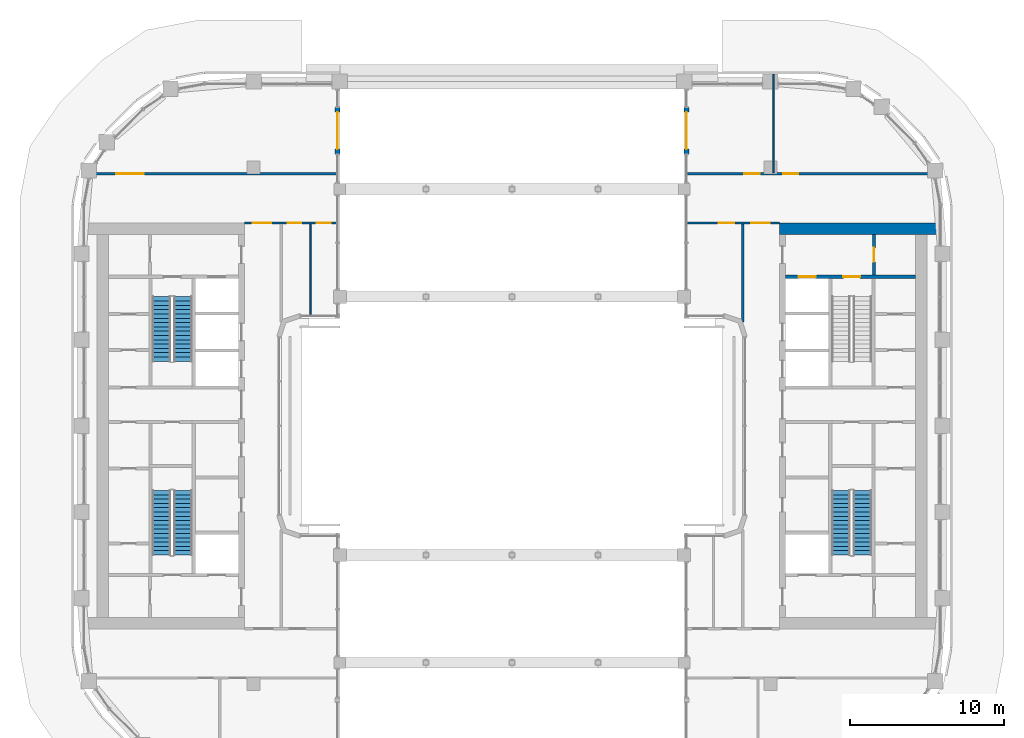
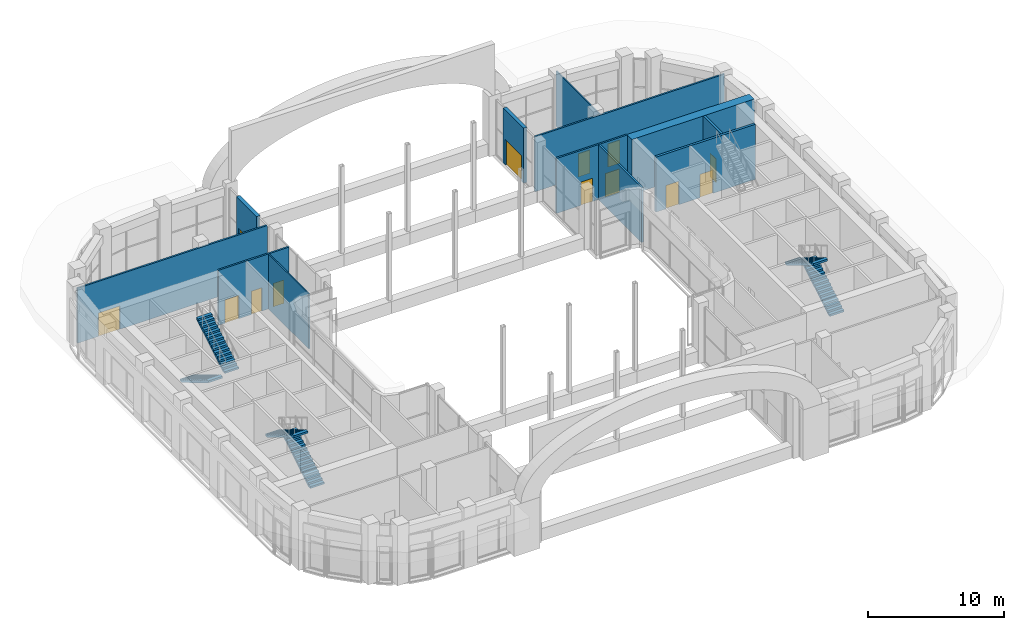
# One storey, part 18 of 28: 13 doors, 12 walls, 6 stair flights, 13 openings, 3 elements without a shape of their own.
"""IFC4 building model written with IfcOpenShell, lengths in metres."""

from ifc_helpers import new_model, si_unit, direction, frame, frame_2d, origin, place, context, subcontext, project, spatial, polyline, rectangle, outline, extrude, material, layer, layer_set, type_object, element, fill, aggregate, save


model = new_model("IFC4")

# Units and contexts
model_context = context("Model", 3, precision=1e-05, world=origin(), true_north=direction((0.0, 1.0)))
body_context = subcontext(model_context, "Body", "Model", "MODEL_VIEW")
ifc_project = project(units=[si_unit("LENGTHUNIT", "METRE"), si_unit("AREAUNIT", "SQUARE_METRE"), si_unit("VOLUMEUNIT", "CUBIC_METRE"), si_unit("PLANEANGLEUNIT", "RADIAN"), si_unit("MASSUNIT", "GRAM", prefix="KILO")], contexts=[model_context])

# Site, building, storey
site_placement = place(None, origin())
site = spatial("IfcSite", under=ifc_project, at=site_placement, CompositionType="ELEMENT")
building_placement = place(site_placement, origin())
building = spatial("IfcBuilding", under=site, at=building_placement, Name="Kiln Ring Residences", CompositionType="ELEMENT")
storey_placement = place(building_placement, frame((0.0, 0.0, 178.10009765625)))
storey = spatial("IfcBuildingStorey", under=building, at=storey_placement, Name="L46", CompositionType="ELEMENT", Elevation=178.10009765625)

# Wall, opening, door
ifc_material_1 = material(Name="Gypsum board on steel studs", Category="steel")
ifc_layer_1 = layer(ifc_material_1, 0.199951171875)
ifc_layer_set_1 = layer_set([ifc_layer_1], Name="CORE-PARTITION-200")
wall_type_1 = type_object("IfcWallType", Name="CORE-PARTITION-200", PredefinedType="PARTITIONING", material=ifc_layer_set_1)
wall_1_placement = place(storey_placement, frame((23.550048828125, 9.800048828125, 0.0), z_axis=(0.0, 0.0, 1.0), x_axis=(0.0, 1.0, 0.0)))
wall_1 = element("IfcWall", 1, at=wall_1_placement, inside=storey, type_object=wall_type_1, Name="Core partition east L46 4", PredefinedType="PARTITIONING", context=body_context, shape_type="SweptSolid", body=[
    extrude(rectangle(XDim=2.64990234375, YDim=0.199951171875, at=frame_2d((1.324951171875, 0.0))), origin(), (0.0, 0.0, 1.0), 4.949951171875),
])
opening_1_placement = place(wall_1_placement, frame((0.875, 0.0, 0.0)))
opening_1 = element("IfcOpeningElement", 2, at=opening_1_placement, cuts=wall_1, Name="Opening L46-CE09", PredefinedType="OPENING", context=body_context, shape_type="SweptSolid", body=[
    extrude(rectangle(XDim=0.89990234375, YDim=2.10009765625, at=frame_2d((0.449951171875, 1.050048828125))), frame((0.0, 0.10986328125, 0.0), z_axis=(0.0, -1.0, 0.0), x_axis=(1.0, 0.0, 0.0)), (0.0, 0.0, 1.0), 0.219970703125),
])
ifc_material_2 = material(Name="Steel door leaf", Category="steel")
door_type_1 = type_object("IfcDoorType", Name="CORE-DOOR-ROOM", OperationType="SINGLE_SWING_LEFT", PredefinedType="DOOR", material=ifc_material_2)
door_1_placement = place(opening_1_placement, origin())
door_1 = element("IfcDoor", 3, at=door_1_placement, inside=storey, type_object=door_type_1, Name="Fire riser room L46-CE09", OperationType="SINGLE_SWING_RIGHT", OverallHeight=2.10009765625, OverallWidth=0.89990234375, PredefinedType="DOOR", context=body_context, shape_type="SweptSolid", body=[
    extrude(rectangle(XDim=0.89990234375, YDim=2.10009765625, at=frame_2d((0.449951171875, 1.050048828125))), frame((0.0, 0.02490234375, 0.0), z_axis=(0.0, -1.0, 0.0), x_axis=(1.0, 0.0, 0.0)), (0.0, 0.0, 1.0), 0.050048828125),
])
fill(opening_1, door_1)

# Wall, openings, doors
ifc_material_3 = material(Name="Concrete C40/50", Category="concrete")
ifc_layer_2 = layer(ifc_material_3, 0.199951171875)
ifc_layer_set_2 = layer_set([ifc_layer_2], Name="CORE-WALL-RC200")
wall_type_2 = type_object("IfcWallType", Name="CORE-WALL-RC200", PredefinedType="SHEAR", material=ifc_layer_set_2)
wall_2_placement = place(storey_placement, frame((17.800048828125, 9.699951171875, 0.0), z_axis=(0.0, 0.0, 1.0), x_axis=(1.0, 0.0, 0.0)))
wall_2 = element("IfcWall", 4, at=wall_2_placement, inside=storey, type_object=wall_type_2, Name="Core wall east L46 9", PredefinedType="SHEAR", context=body_context, shape_type="SweptSolid", body=[
    extrude(rectangle(XDim=8.449951171875, YDim=0.199951171875, at=frame_2d((4.22509765625, 0.0))), origin(), (0.0, 0.0, 1.0), 4.949951171875),
])
opening_2_placement = place(wall_2_placement, frame((0.85009765625, 0.0, 0.0)))
opening_2 = element("IfcOpeningElement", 5, at=opening_2_placement, cuts=wall_2, Name="Opening L46-CE06", PredefinedType="OPENING", context=body_context, shape_type="SweptSolid", body=[
    extrude(rectangle(XDim=1.10009765625, YDim=2.10009765625, at=frame_2d((0.550048828125, 1.050048828125))), frame((0.0, 0.10986328125, 0.0), z_axis=(0.0, -1.0, 0.0), x_axis=(1.0, 0.0, 0.0)), (0.0, 0.0, 1.0), 0.219970703125),
])
opening_3_placement = place(wall_2_placement, frame((3.75, 0.0, 0.0)))
opening_3 = element("IfcOpeningElement", 6, at=opening_3_placement, cuts=wall_2, Name="Opening L46-CE11", PredefinedType="OPENING", context=body_context, shape_type="SweptSolid", body=[
    extrude(rectangle(XDim=1.10009765625, YDim=2.10009765625, at=frame_2d((0.550048828125, 1.050048828125))), frame((0.0, 0.10986328125, 0.0), z_axis=(0.0, -1.0, 0.0), x_axis=(1.0, 0.0, 0.0)), (0.0, 0.0, 1.0), 0.219970703125),
])
ifc_material_4 = material(Name="Steel door leaf", Category="steel")
door_type_2 = type_object("IfcDoorType", Name="CORE-DOOR-LD", OperationType="DOUBLE_DOOR_SLIDING", PredefinedType="DOOR", material=ifc_material_4)
door_2_placement = place(opening_2_placement, origin())
door_2 = element("IfcDoor", 7, at=door_2_placement, inside=storey, type_object=door_type_2, Name="LD E-FF L46-CE06", OperationType="DOUBLE_DOOR_SLIDING", OverallHeight=2.10009765625, OverallWidth=1.10009765625, PredefinedType="DOOR", context=body_context, shape_type="SweptSolid", body=[
    extrude(rectangle(XDim=1.10009765625, YDim=2.10009765625, at=frame_2d((0.550048828125, 1.050048828125))), frame((0.0, 0.02490234375, 0.0), z_axis=(0.0, -1.0, 0.0), x_axis=(1.0, 0.0, 0.0)), (0.0, 0.0, 1.0), 0.050048828125),
])
fill(opening_2, door_2)
ifc_material_5 = material(Name="Steel door leaf", Category="steel")
door_type_3 = type_object("IfcDoorType", Name="CORE-DOOR-STAIR", OperationType="SINGLE_SWING_LEFT", PredefinedType="DOOR", material=ifc_material_5)
door_3_placement = place(opening_3_placement, origin())
door_3 = element("IfcDoor", 8, at=door_3_placement, inside=storey, type_object=door_type_3, Name="Stair E-STN L46-CE11", OperationType="SINGLE_SWING_RIGHT", OverallHeight=2.10009765625, OverallWidth=1.10009765625, PredefinedType="DOOR", context=body_context, shape_type="SweptSolid", body=[
    extrude(rectangle(XDim=1.10009765625, YDim=2.10009765625, at=frame_2d((0.550048828125, 1.050048828125))), frame((0.0, 0.02490234375, 0.0), z_axis=(0.0, -1.0, 0.0), x_axis=(1.0, 0.0, 0.0)), (0.0, 0.0, 1.0), 0.050048828125),
])
fill(opening_3, door_3)

# Wall
ifc_material_6 = material(Name="Concrete C60/75", Category="concrete")
ifc_layer_3 = layer(ifc_material_6, 0.75)
ifc_layer_set_3 = layer_set([ifc_layer_3], Name="CORE-WALL-RC750")
wall_type_3 = type_object("IfcWallType", Name="CORE-WALL-RC750", PredefinedType="SHEAR", material=ifc_layer_set_3)
wall_3_placement = place(storey_placement, frame((17.39990234375, 12.824951171875, 0.0), z_axis=(0.0, 0.0, 1.0), x_axis=(1.0, 0.0, 0.0)))
element("IfcWall", 9, at=wall_3_placement, inside=storey, type_object=wall_type_3, Name="Core wall east L46 4", PredefinedType="SHEAR", context=body_context, shape_type="SweptSolid", body=[
    extrude(rectangle(XDim=10.400146484375, YDim=0.75, at=frame_2d((5.2001953125, 0.0))), origin(), (0.0, 0.0, 1.0), 4.949951171875),
])

# Wall, opening, door
ifc_material_7 = material(Name="Brick masonry, dark clay brick", Category="masonry")
ifc_layer_4 = layer(ifc_material_7, 0.300048828125)
ifc_layer_set_4 = layer_set([ifc_layer_4], Name="EW-300 BRICK WALL")
wall_type_4 = type_object("IfcWallType", Name="EW-300 BRICK WALL", PredefinedType="SOLIDWALL", material=ifc_layer_set_4)
wall_4_placement = place(storey_placement, frame((-11.35009765625, 17.699951171875, 0.0), z_axis=(0.0, 0.0, 1.0), x_axis=(0.0, 1.0, 0.0)))
wall_4 = element("IfcWall", 10, at=wall_4_placement, inside=storey, type_object=wall_type_4, Name="Facade wall L46 2", PredefinedType="SOLIDWALL", context=body_context, shape_type="SweptSolid", body=[
    extrude(rectangle(XDim=3.0, YDim=0.300048828125, at=frame_2d((1.5, 0.0))), origin(), (0.0, 0.0, 1.0), 4.949951171875),
])
opening_4_placement = place(wall_4_placement, frame((0.300048828125, 0.0, 0.0)))
opening_4 = element("IfcOpeningElement", 11, at=opening_4_placement, cuts=wall_4, Name="Opening EL46-2", PredefinedType="OPENING", context=body_context, shape_type="SweptSolid", body=[
    extrude(rectangle(XDim=2.39990234375, YDim=2.300048828125, at=frame_2d((1.199951171875, 1.14990234375))), frame((0.0, 0.159912109375, 0.0), z_axis=(0.0, -1.0, 0.0), x_axis=(1.0, 0.0, 0.0)), (0.0, 0.0, 1.0), 0.320068359375),
])
ifc_material_8 = material(Name="Aluminium and glass", Category="aluminium")
door_type_4 = type_object("IfcDoorType", Name="TERRACE DOOR 2400 x 2300", OperationType="DOUBLE_DOOR_SINGLE_SWING", PredefinedType="DOOR", material=ifc_material_8)
door_4_placement = place(opening_4_placement, origin())
door_4 = element("IfcDoor", 12, at=door_4_placement, inside=storey, type_object=door_type_4, Name="Terrace door EL46-2", OperationType="SINGLE_SWING_LEFT", OverallHeight=2.300048828125, OverallWidth=2.39990234375, PredefinedType="DOOR", context=body_context, shape_type="SweptSolid", body=[
    extrude(rectangle(XDim=2.39990234375, YDim=2.300048828125, at=frame_2d((1.199951171875, 1.14990234375))), frame((0.0, 0.02490234375, 0.0), z_axis=(0.0, -1.0, 0.0), x_axis=(1.0, 0.0, 0.0)), (0.0, 0.0, 1.0), 0.050048828125),
])
fill(opening_4, door_4)

wall_5_placement = place(storey_placement, frame((11.35009765625, 20.699951171875, 0.0), z_axis=(0.0, 0.0, 1.0), x_axis=(0.0, -1.0, 0.0)))
wall_5 = element("IfcWall", 13, at=wall_5_placement, inside=storey, type_object=wall_type_4, Name="Facade wall L46 4", PredefinedType="SOLIDWALL", context=body_context, shape_type="SweptSolid", body=[
    extrude(rectangle(XDim=3.0, YDim=0.300048828125, at=frame_2d((1.5, 0.0))), origin(), (0.0, 0.0, 1.0), 4.949951171875),
])
opening_5_placement = place(wall_5_placement, frame((0.300048828125, 0.0, 0.0)))
opening_5 = element("IfcOpeningElement", 14, at=opening_5_placement, cuts=wall_5, Name="Opening EL46-4", PredefinedType="OPENING", context=body_context, shape_type="SweptSolid", body=[
    extrude(rectangle(XDim=2.39990234375, YDim=2.300048828125, at=frame_2d((1.199951171875, 1.14990234375))), frame((0.0, 0.159912109375, 0.0), z_axis=(0.0, -1.0, 0.0), x_axis=(1.0, 0.0, 0.0)), (0.0, 0.0, 1.0), 0.320068359375),
])
door_5_placement = place(opening_5_placement, origin())
door_5 = element("IfcDoor", 15, at=door_5_placement, inside=storey, type_object=door_type_4, Name="Terrace door EL46-4", OperationType="SINGLE_SWING_LEFT", OverallHeight=2.300048828125, OverallWidth=2.39990234375, PredefinedType="DOOR", context=body_context, shape_type="SweptSolid", body=[
    extrude(rectangle(XDim=2.39990234375, YDim=2.300048828125, at=frame_2d((1.199951171875, 1.14990234375))), frame((0.0, 0.02490234375, 0.0), z_axis=(0.0, -1.0, 0.0), x_axis=(1.0, 0.0, 0.0)), (0.0, 0.0, 1.0), 0.050048828125),
])
fill(opening_5, door_5)

# Walls
ifc_material_9 = material(Name="Gypsum board on steel studs", Category="steel")
ifc_layer_5 = layer(ifc_material_9, 0.10009765625)
ifc_layer_set_5 = layer_set([ifc_layer_5], Name="PARTITION-100")
wall_type_5 = type_object("IfcWallType", Name="PARTITION-100", PredefinedType="PARTITIONING", material=ifc_layer_set_5)
wall_6_placement = place(storey_placement, frame((-13.10009765625, 7.18408203125, 0.0), z_axis=(0.0, 0.0, 1.0), x_axis=(0.0, 1.0, 0.0)))
element("IfcWall", 16, at=wall_6_placement, inside=storey, type_object=wall_type_5, Name="Partition 011", PredefinedType="PARTITIONING", context=body_context, shape_type="SweptSolid", body=[
    extrude(rectangle(XDim=5.94091796875, YDim=0.10009765625, at=frame_2d((2.970458984375, 0.0))), origin(), (0.0, 0.0, 1.0), 4.949951171875),
])
wall_7_placement = place(storey_placement, frame((17.0, 16.47509765625, 0.0), z_axis=(0.0, 0.0, 1.0), x_axis=(0.0, 1.0, 0.0)))
element("IfcWall", 17, at=wall_7_placement, inside=storey, type_object=wall_type_5, Name="Partition 016", PredefinedType="PARTITIONING", context=body_context, shape_type="SweptSolid", body=[
    extrude(rectangle(XDim=6.40478515625, YDim=0.10009765625, at=frame_2d((3.202392578125, 0.0))), origin(), (0.0, 0.0, 1.0), 4.949951171875),
])

# Wall, openings, doors
ifc_material_10 = material(Name="Brick masonry partition", Category="masonry")
ifc_layer_6 = layer(ifc_material_10, 0.14990234375)
ifc_layer_set_6 = layer_set([ifc_layer_6], Name="PARTITION-150-ei60")
wall_type_6 = type_object("IfcWallType", Name="PARTITION-150-ei60", PredefinedType="PARTITIONING", material=ifc_layer_set_6)
wall_8_placement = place(storey_placement, frame((-17.39990234375, 13.199951171875, 0.0), z_axis=(0.0, 0.0, 1.0), x_axis=(1.0, 0.0, 0.0)))
wall_8 = element("IfcWall", 18, at=wall_8_placement, inside=storey, type_object=wall_type_6, Name="Partition 004", PredefinedType="PARTITIONING", context=body_context, shape_type="SweptSolid", body=[
    extrude(rectangle(XDim=6.015869140625, YDim=0.14990234375, at=frame_2d((3.0078125, 0.0))), origin(), (0.0, 0.0, 1.0), 4.949951171875),
])
opening_6_placement = place(wall_8_placement, frame((0.550048828125, 0.0, 0.0)))
opening_6 = element("IfcOpeningElement", 19, at=opening_6_placement, cuts=wall_8, Name="Opening L46-D005", PredefinedType="OPENING", context=body_context, shape_type="SweptSolid", body=[
    extrude(rectangle(XDim=1.199951171875, YDim=2.10009765625, at=frame_2d((0.60009765625, 1.050048828125))), frame((0.0, 0.0849609375, 0.0), z_axis=(0.0, -1.0, 0.0), x_axis=(1.0, 0.0, 0.0)), (0.0, 0.0, 1.0), 0.169921875),
])
opening_7_placement = place(wall_8_placement, frame((4.699951171875, 0.0, 0.0)))
opening_7 = element("IfcOpeningElement", 20, at=opening_7_placement, cuts=wall_8, Name="Opening L46-D006", PredefinedType="OPENING", context=body_context, shape_type="SweptSolid", body=[
    extrude(rectangle(XDim=0.89990234375, YDim=2.10009765625, at=frame_2d((0.449951171875, 1.050048828125))), frame((0.0, 0.0849609375, 0.0), z_axis=(0.0, -1.0, 0.0), x_axis=(1.0, 0.0, 0.0)), (0.0, 0.0, 1.0), 0.169921875),
])
opening_8_placement = place(wall_8_placement, frame((2.800048828125, 0.0, 0.0)))
opening_8 = element("IfcOpeningElement", 21, at=opening_8_placement, cuts=wall_8, Name="Opening L46-D007", PredefinedType="OPENING", context=body_context, shape_type="SweptSolid", body=[
    extrude(rectangle(XDim=0.89990234375, YDim=2.10009765625, at=frame_2d((0.449951171875, 1.050048828125))), frame((0.0, 0.0849609375, 0.0), z_axis=(0.0, -1.0, 0.0), x_axis=(1.0, 0.0, 0.0)), (0.0, 0.0, 1.0), 0.169921875),
])
ifc_material_11 = material(Name="Steel faced fire door leaf", Category="steel")
door_type_5 = type_object("IfcDoorType", Name="FLAT-DOOR-1200-FR", OperationType="SINGLE_SWING_LEFT", PredefinedType="DOOR", material=ifc_material_11)
door_6_placement = place(opening_6_placement, origin())
door_6 = element("IfcDoor", 22, at=door_6_placement, inside=storey, type_object=door_type_5, Name="Door L46-D005", OperationType="SINGLE_SWING_RIGHT", OverallHeight=2.10009765625, OverallWidth=1.199951171875, PredefinedType="DOOR", context=body_context, shape_type="SweptSolid", body=[
    extrude(rectangle(XDim=1.199951171875, YDim=2.10009765625, at=frame_2d((0.60009765625, 1.050048828125))), frame((0.0, 0.02490234375, 0.0), z_axis=(0.0, -1.0, 0.0), x_axis=(1.0, 0.0, 0.0)), (0.0, 0.0, 1.0), 0.050048828125),
])
fill(opening_6, door_6)
ifc_material_12 = material(Name="Steel faced fire door leaf", Category="steel")
door_type_6 = type_object("IfcDoorType", Name="FLAT-DOOR-900-FR", OperationType="SINGLE_SWING_LEFT", PredefinedType="DOOR", material=ifc_material_12)
door_7_placement = place(opening_7_placement, origin())
door_7 = element("IfcDoor", 23, at=door_7_placement, inside=storey, type_object=door_type_6, Name="Door L46-D006", OperationType="SINGLE_SWING_RIGHT", OverallHeight=2.10009765625, OverallWidth=0.89990234375, PredefinedType="DOOR", context=body_context, shape_type="SweptSolid", body=[
    extrude(rectangle(XDim=0.89990234375, YDim=2.10009765625, at=frame_2d((0.449951171875, 1.050048828125))), frame((0.0, 0.02490234375, 0.0), z_axis=(0.0, -1.0, 0.0), x_axis=(1.0, 0.0, 0.0)), (0.0, 0.0, 1.0), 0.050048828125),
])
fill(opening_7, door_7)
door_8_placement = place(opening_8_placement, origin())
door_8 = element("IfcDoor", 24, at=door_8_placement, inside=storey, type_object=door_type_6, Name="Door L46-D007", OperationType="SINGLE_SWING_LEFT", OverallHeight=2.10009765625, OverallWidth=0.89990234375, PredefinedType="DOOR", context=body_context, shape_type="SweptSolid", body=[
    extrude(rectangle(XDim=0.89990234375, YDim=2.10009765625, at=frame_2d((0.449951171875, 1.050048828125))), frame((0.0, 0.02490234375, 0.0), z_axis=(0.0, -1.0, 0.0), x_axis=(1.0, 0.0, 0.0)), (0.0, 0.0, 1.0), 0.050048828125),
])
fill(opening_8, door_8)

wall_9_placement = place(storey_placement, frame((11.384033203125, 13.199951171875, 0.0), z_axis=(0.0, 0.0, 1.0), x_axis=(1.0, 0.0, 0.0)))
wall_9 = element("IfcWall", 25, at=wall_9_placement, inside=storey, type_object=wall_type_6, Name="Partition 005", PredefinedType="PARTITIONING", context=body_context, shape_type="SweptSolid", body=[
    extrude(rectangle(XDim=6.015869140625, YDim=0.14990234375, at=frame_2d((3.0078125, 0.0))), origin(), (0.0, 0.0, 1.0), 4.949951171875),
])
opening_9_placement = place(wall_9_placement, frame((4.166015625, 0.0, 0.0)))
opening_9 = element("IfcOpeningElement", 26, at=opening_9_placement, cuts=wall_9, Name="Opening L46-D001", PredefinedType="OPENING", context=body_context, shape_type="SweptSolid", body=[
    extrude(rectangle(XDim=1.199951171875, YDim=2.10009765625, at=frame_2d((0.60009765625, 1.050048828125))), frame((0.0, 0.0849609375, 0.0), z_axis=(0.0, -1.0, 0.0), x_axis=(1.0, 0.0, 0.0)), (0.0, 0.0, 1.0), 0.169921875),
])
opening_10_placement = place(wall_9_placement, frame((2.055908203125, 0.0, 0.0)))
opening_10 = element("IfcOpeningElement", 27, at=opening_10_placement, cuts=wall_9, Name="Opening L46-D002", PredefinedType="OPENING", context=body_context, shape_type="SweptSolid", body=[
    extrude(rectangle(XDim=1.0, YDim=2.10009765625, at=frame_2d((0.5, 1.050048828125))), frame((0.0, 0.0849609375, 0.0), z_axis=(0.0, -1.0, 0.0), x_axis=(1.0, 0.0, 0.0)), (0.0, 0.0, 1.0), 0.169921875),
])
ifc_material_13 = material(Name="Steel faced fire door leaf", Category="steel")
door_type_7 = type_object("IfcDoorType", Name="FLAT-DOOR-1000-FR", OperationType="SINGLE_SWING_LEFT", PredefinedType="DOOR", material=ifc_material_13)
door_9_placement = place(opening_10_placement, origin())
door_9 = element("IfcDoor", 28, at=door_9_placement, inside=storey, type_object=door_type_7, Name="Door L46-D002", OperationType="SINGLE_SWING_RIGHT", OverallHeight=2.10009765625, OverallWidth=1.0, PredefinedType="DOOR", context=body_context, shape_type="SweptSolid", body=[
    extrude(rectangle(XDim=1.0, YDim=2.10009765625, at=frame_2d((0.5, 1.050048828125))), frame((0.0, 0.02490234375, 0.0), z_axis=(0.0, -1.0, 0.0), x_axis=(1.0, 0.0, 0.0)), (0.0, 0.0, 1.0), 0.050048828125),
])
fill(opening_10, door_9)
door_10_placement = place(opening_9_placement, origin())
door_10 = element("IfcDoor", 29, at=door_10_placement, inside=storey, type_object=door_type_5, Name="Door L46-D001", OperationType="SINGLE_SWING_RIGHT", OverallHeight=2.10009765625, OverallWidth=1.199951171875, PredefinedType="DOOR", context=body_context, shape_type="SweptSolid", body=[
    extrude(rectangle(XDim=1.199951171875, YDim=2.10009765625, at=frame_2d((0.60009765625, 1.050048828125))), frame((0.0, 0.02490234375, 0.0), z_axis=(0.0, -1.0, 0.0), x_axis=(1.0, 0.0, 0.0)), (0.0, 0.0, 1.0), 0.050048828125),
])
fill(opening_9, door_10)

# Wall, opening, door
wall_10_placement = place(storey_placement, frame((-27.52001953125, 16.39990234375, 0.0), z_axis=(0.0, 0.0, 1.0), x_axis=(1.0, 0.0, 0.0)))
wall_10 = element("IfcWall", 30, at=wall_10_placement, inside=storey, type_object=wall_type_6, Name="Partition 006", PredefinedType="PARTITIONING", context=body_context, shape_type="SweptSolid", body=[
    extrude(rectangle(XDim=16.135986328125, YDim=0.14990234375, at=frame_2d((8.06787109375, 0.0))), origin(), (0.0, 0.0, 1.0), 4.949951171875),
])
opening_11_placement = place(wall_10_placement, frame((1.780029296875, 0.0, 0.0)))
opening_11 = element("IfcOpeningElement", 31, at=opening_11_placement, cuts=wall_10, Name="Opening L46-D008", PredefinedType="OPENING", context=body_context, shape_type="SweptSolid", body=[
    extrude(rectangle(XDim=1.800048828125, YDim=2.10009765625, at=frame_2d((0.89990234375, 1.050048828125))), frame((0.0, 0.0849609375, 0.0), z_axis=(0.0, -1.0, 0.0), x_axis=(1.0, 0.0, 0.0)), (0.0, 0.0, 1.0), 0.169921875),
])
ifc_material_14 = material(Name="Steel faced fire door leaf", Category="steel")
door_type_8 = type_object("IfcDoorType", Name="FLAT-DOOR-1800-FR", OperationType="SINGLE_SWING_LEFT", PredefinedType="DOOR", material=ifc_material_14)
door_11_placement = place(opening_11_placement, origin())
door_11 = element("IfcDoor", 32, at=door_11_placement, inside=storey, type_object=door_type_8, Name="Door L46-D008", OperationType="SINGLE_SWING_RIGHT", OverallHeight=2.10009765625, OverallWidth=1.800048828125, PredefinedType="DOOR", context=body_context, shape_type="SweptSolid", body=[
    extrude(rectangle(XDim=1.800048828125, YDim=2.10009765625, at=frame_2d((0.89990234375, 1.050048828125))), frame((0.0, 0.02490234375, 0.0), z_axis=(0.0, -1.0, 0.0), x_axis=(1.0, 0.0, 0.0)), (0.0, 0.0, 1.0), 0.050048828125),
])
fill(opening_11, door_11)

# Wall, openings, doors
wall_11_placement = place(storey_placement, frame((11.384033203125, 16.39990234375, 0.0), z_axis=(0.0, 0.0, 1.0), x_axis=(1.0, 0.0, 0.0)))
wall_11 = element("IfcWall", 33, at=wall_11_placement, inside=storey, type_object=wall_type_6, Name="Partition 007", PredefinedType="PARTITIONING", context=body_context, shape_type="SweptSolid", body=[
    extrude(rectangle(XDim=16.135986328125, YDim=0.14990234375, at=frame_2d((8.06787109375, 0.0))), origin(), (0.0, 0.0, 1.0), 4.949951171875),
])
opening_12_placement = place(wall_11_placement, frame((3.716064453125, 0.0, 0.0)))
opening_12 = element("IfcOpeningElement", 34, at=opening_12_placement, cuts=wall_11, Name="Opening L46-D003", PredefinedType="OPENING", context=body_context, shape_type="SweptSolid", body=[
    extrude(rectangle(XDim=1.0, YDim=2.10009765625, at=frame_2d((0.5, 1.050048828125))), frame((0.0, 0.0849609375, 0.0), z_axis=(0.0, -1.0, 0.0), x_axis=(1.0, 0.0, 0.0)), (0.0, 0.0, 1.0), 0.169921875),
])
opening_13_placement = place(wall_11_placement, frame((6.242919921875, 0.0, 0.0)))
opening_13 = element("IfcOpeningElement", 35, at=opening_13_placement, cuts=wall_11, Name="Opening L46-D004", PredefinedType="OPENING", context=body_context, shape_type="SweptSolid", body=[
    extrude(rectangle(XDim=1.0, YDim=2.10009765625, at=frame_2d((0.5, 1.050048828125))), frame((0.0, 0.0849609375, 0.0), z_axis=(0.0, -1.0, 0.0), x_axis=(1.0, 0.0, 0.0)), (0.0, 0.0, 1.0), 0.169921875),
])
door_12_placement = place(opening_12_placement, origin())
door_12 = element("IfcDoor", 36, at=door_12_placement, inside=storey, type_object=door_type_7, Name="Door L46-D003", OperationType="SINGLE_SWING_LEFT", OverallHeight=2.10009765625, OverallWidth=1.0, PredefinedType="DOOR", context=body_context, shape_type="SweptSolid", body=[
    extrude(rectangle(XDim=1.0, YDim=2.10009765625, at=frame_2d((0.5, 1.050048828125))), frame((0.0, 0.02490234375, 0.0), z_axis=(0.0, -1.0, 0.0), x_axis=(1.0, 0.0, 0.0)), (0.0, 0.0, 1.0), 0.050048828125),
])
fill(opening_12, door_12)
door_13_placement = place(opening_13_placement, origin())
door_13 = element("IfcDoor", 37, at=door_13_placement, inside=storey, type_object=door_type_7, Name="Door L46-D004", OperationType="SINGLE_SWING_RIGHT", OverallHeight=2.10009765625, OverallWidth=1.0, PredefinedType="DOOR", context=body_context, shape_type="SweptSolid", body=[
    extrude(rectangle(XDim=1.0, YDim=2.10009765625, at=frame_2d((0.5, 1.050048828125))), frame((0.0, 0.02490234375, 0.0), z_axis=(0.0, -1.0, 0.0), x_axis=(1.0, 0.0, 0.0)), (0.0, 0.0, 1.0), 0.050048828125),
])
fill(opening_13, door_13)

# Wall
wall_12_placement = place(storey_placement, frame((15.0, 6.768798828125, 0.0), z_axis=(0.0, 0.0, 1.0), x_axis=(0.0, 1.0, 0.0)))
element("IfcWall", 38, at=wall_12_placement, inside=storey, type_object=wall_type_6, Name="Partition 014", PredefinedType="PARTITIONING", context=body_context, shape_type="SweptSolid", body=[
    extrude(rectangle(XDim=6.356201171875, YDim=0.14990234375, at=frame_2d((3.17822265625, 0.0))), origin(), (0.0, 0.0, 1.0), 4.949951171875),
])

# Stair, stair flights
ifc_material_15 = material(Name="Concrete C40/50", Category="concrete")
stair_type = type_object("IfcStairType", Name="CORE-STAIR", PredefinedType="HALF_TURN_STAIR", material=ifc_material_15)
placement = place(storey_placement, origin())
stair_1 = element("IfcStair", 39, at=placement, inside=storey, type_object=stair_type, Name="L46 stair W-STN", PredefinedType="HALF_TURN_STAIR")
ifc_material_16 = material(Name="Concrete C40/50", Category="concrete")
stair_flight_type = type_object("IfcStairFlightType", Name="CORE-STAIR-FLIGHT", PredefinedType="STRAIGHT", material=ifc_material_16)
stair_flight_1_placement = place(storey_placement, frame((-22.800048828125, 8.39990234375, 0.0), z_axis=(0.0, 0.0, 1.0), x_axis=(0.0, -1.0, 0.0)))
stair_flight_1 = element("IfcStairFlight", 40, at=stair_flight_1_placement, type_object=stair_flight_type, Name="W-STN flight 1", NumberOfRisers=16, NumberOfTreads=15, PredefinedType="STRAIGHT", RiserHeight=0.16875, TreadLength=0.28, context=body_context, shape_type="SweptSolid", body=[
    extrude(outline(polyline([(0.0, 0.0), (0.0, 0.168701171875), (0.280029296875, 0.168701171875), (0.280029296875, 0.33740234375), (0.56005859375, 0.33740234375), (0.56005859375, 0.50634765625), (0.840087890625, 0.50634765625), (0.840087890625, 0.675048828125), (1.1201171875, 0.675048828125), (1.1201171875, 0.84375), (1.39990234375, 0.84375), (1.39990234375, 1.012451171875), (1.679931640625, 1.012451171875), (1.679931640625, 1.18115234375), (1.9599609375, 1.18115234375), (1.9599609375, 1.35009765625), (2.239990234375, 1.35009765625), (2.239990234375, 1.518798828125), (2.52001953125, 1.518798828125), (2.52001953125, 1.6875), (2.800048828125, 1.6875), (2.800048828125, 1.856201171875), (3.080078125, 1.856201171875), (3.080078125, 2.02490234375), (3.360107421875, 2.02490234375), (3.360107421875, 2.19384765625), (3.639892578125, 2.19384765625), (3.639892578125, 2.362548828125), (3.919921875, 2.362548828125), (3.919921875, 2.53125), (4.199951171875, 2.53125), (4.199951171875, 2.699951171875), (4.199951171875, 2.356201171875), (0.29052734375, 0.0), (0.0, 0.0)])), frame((0.0, 0.60009765625, 0.0), z_axis=(0.0, -1.0, 0.0), x_axis=(1.0, 0.0, 0.0)), (0.0, 0.0, 1.0), 1.199951171875),
])
stair_flight_2_placement = place(storey_placement, frame((-21.39990234375, 4.199951171875, 2.699951171875), z_axis=(0.0, 0.0, 1.0), x_axis=(0.0, 1.0, 0.0)))
stair_flight_2 = element("IfcStairFlight", 41, at=stair_flight_2_placement, type_object=stair_flight_type, Name="W-STN flight 2", NumberOfRisers=16, NumberOfTreads=15, PredefinedType="STRAIGHT", RiserHeight=0.16875, TreadLength=0.28, context=body_context, shape_type="SweptSolid", body=[
    extrude(outline(polyline([(0.0, 0.0), (0.0, 0.168701171875), (0.280029296875, 0.168701171875), (0.280029296875, 0.33740234375), (0.56005859375, 0.33740234375), (0.56005859375, 0.50634765625), (0.840087890625, 0.50634765625), (0.840087890625, 0.675048828125), (1.1201171875, 0.675048828125), (1.1201171875, 0.84375), (1.39990234375, 0.84375), (1.39990234375, 1.012451171875), (1.679931640625, 1.012451171875), (1.679931640625, 1.18115234375), (1.9599609375, 1.18115234375), (1.9599609375, 1.35009765625), (2.239990234375, 1.35009765625), (2.239990234375, 1.518798828125), (2.52001953125, 1.518798828125), (2.52001953125, 1.6875), (2.800048828125, 1.6875), (2.800048828125, 1.856201171875), (3.080078125, 1.856201171875), (3.080078125, 2.02490234375), (3.360107421875, 2.02490234375), (3.360107421875, 2.19384765625), (3.639892578125, 2.19384765625), (3.639892578125, 2.362548828125), (3.919921875, 2.362548828125), (3.919921875, 2.53125), (4.199951171875, 2.53125), (4.199951171875, 2.699951171875), (4.199951171875, 2.356201171875), (0.29052734375, 0.0), (0.0, 0.0)])), frame((0.0, 0.60009765625, 0.0), z_axis=(0.0, -1.0, 0.0), x_axis=(1.0, 0.0, 0.0)), (0.0, 0.0, 1.0), 1.199951171875),
])
aggregate(stair_1, [stair_flight_1, stair_flight_2])

stair_2 = element("IfcStair", 42, at=placement, inside=storey, type_object=stair_type, Name="L46 stair W-STS", PredefinedType="HALF_TURN_STAIR")
stair_flight_3_placement = place(storey_placement, frame((-21.39990234375, -8.39990234375, 0.0), z_axis=(0.0, 0.0, 1.0), x_axis=(0.0, 1.0, 0.0)))
stair_flight_3 = element("IfcStairFlight", 43, at=stair_flight_3_placement, type_object=stair_flight_type, Name="W-STS flight 1", NumberOfRisers=16, NumberOfTreads=15, PredefinedType="STRAIGHT", RiserHeight=0.16875, TreadLength=0.28, context=body_context, shape_type="SweptSolid", body=[
    extrude(outline(polyline([(0.0, 0.0), (0.0, 0.168701171875), (0.280029296875, 0.168701171875), (0.280029296875, 0.33740234375), (0.56005859375, 0.33740234375), (0.56005859375, 0.50634765625), (0.840087890625, 0.50634765625), (0.840087890625, 0.675048828125), (1.1201171875, 0.675048828125), (1.1201171875, 0.84375), (1.39990234375, 0.84375), (1.39990234375, 1.012451171875), (1.679931640625, 1.012451171875), (1.679931640625, 1.18115234375), (1.9599609375, 1.18115234375), (1.9599609375, 1.35009765625), (2.239990234375, 1.35009765625), (2.239990234375, 1.518798828125), (2.52001953125, 1.518798828125), (2.52001953125, 1.6875), (2.800048828125, 1.6875), (2.800048828125, 1.856201171875), (3.080078125, 1.856201171875), (3.080078125, 2.02490234375), (3.360107421875, 2.02490234375), (3.360107421875, 2.19384765625), (3.639892578125, 2.19384765625), (3.639892578125, 2.362548828125), (3.919921875, 2.362548828125), (3.919921875, 2.53125), (4.199951171875, 2.53125), (4.199951171875, 2.699951171875), (4.199951171875, 2.356201171875), (0.29052734375, 0.0), (0.0, 0.0)])), frame((0.0, 0.60009765625, 0.0), z_axis=(0.0, -1.0, 0.0), x_axis=(1.0, 0.0, 0.0)), (0.0, 0.0, 1.0), 1.199951171875),
])
stair_flight_4_placement = place(storey_placement, frame((-22.800048828125, -4.199951171875, 2.699951171875), z_axis=(0.0, 0.0, 1.0), x_axis=(0.0, -1.0, 0.0)))
stair_flight_4 = element("IfcStairFlight", 44, at=stair_flight_4_placement, type_object=stair_flight_type, Name="W-STS flight 2", NumberOfRisers=16, NumberOfTreads=15, PredefinedType="STRAIGHT", RiserHeight=0.16875, TreadLength=0.28, context=body_context, shape_type="SweptSolid", body=[
    extrude(outline(polyline([(0.0, 0.0), (0.0, 0.168701171875), (0.280029296875, 0.168701171875), (0.280029296875, 0.33740234375), (0.56005859375, 0.33740234375), (0.56005859375, 0.50634765625), (0.840087890625, 0.50634765625), (0.840087890625, 0.675048828125), (1.1201171875, 0.675048828125), (1.1201171875, 0.84375), (1.39990234375, 0.84375), (1.39990234375, 1.012451171875), (1.679931640625, 1.012451171875), (1.679931640625, 1.18115234375), (1.9599609375, 1.18115234375), (1.9599609375, 1.35009765625), (2.239990234375, 1.35009765625), (2.239990234375, 1.518798828125), (2.52001953125, 1.518798828125), (2.52001953125, 1.6875), (2.800048828125, 1.6875), (2.800048828125, 1.856201171875), (3.080078125, 1.856201171875), (3.080078125, 2.02490234375), (3.360107421875, 2.02490234375), (3.360107421875, 2.19384765625), (3.639892578125, 2.19384765625), (3.639892578125, 2.362548828125), (3.919921875, 2.362548828125), (3.919921875, 2.53125), (4.199951171875, 2.53125), (4.199951171875, 2.699951171875), (4.199951171875, 2.356201171875), (0.29052734375, 0.0), (0.0, 0.0)])), frame((0.0, 0.60009765625, 0.0), z_axis=(0.0, -1.0, 0.0), x_axis=(1.0, 0.0, 0.0)), (0.0, 0.0, 1.0), 1.199951171875),
])
aggregate(stair_2, [stair_flight_3, stair_flight_4])

stair_3 = element("IfcStair", 45, at=placement, inside=storey, type_object=stair_type, Name="L46 stair E-STS", PredefinedType="HALF_TURN_STAIR")
stair_flight_5_placement = place(storey_placement, frame((22.800048828125, -8.39990234375, 0.0), z_axis=(0.0, 0.0, 1.0), x_axis=(0.0, 1.0, 0.0)))
stair_flight_5 = element("IfcStairFlight", 46, at=stair_flight_5_placement, type_object=stair_flight_type, Name="E-STS flight 1", NumberOfRisers=16, NumberOfTreads=15, PredefinedType="STRAIGHT", RiserHeight=0.16875, TreadLength=0.28, context=body_context, shape_type="SweptSolid", body=[
    extrude(outline(polyline([(0.0, 0.0), (0.0, 0.168701171875), (0.280029296875, 0.168701171875), (0.280029296875, 0.33740234375), (0.56005859375, 0.33740234375), (0.56005859375, 0.50634765625), (0.840087890625, 0.50634765625), (0.840087890625, 0.675048828125), (1.1201171875, 0.675048828125), (1.1201171875, 0.84375), (1.39990234375, 0.84375), (1.39990234375, 1.012451171875), (1.679931640625, 1.012451171875), (1.679931640625, 1.18115234375), (1.9599609375, 1.18115234375), (1.9599609375, 1.35009765625), (2.239990234375, 1.35009765625), (2.239990234375, 1.518798828125), (2.52001953125, 1.518798828125), (2.52001953125, 1.6875), (2.800048828125, 1.6875), (2.800048828125, 1.856201171875), (3.080078125, 1.856201171875), (3.080078125, 2.02490234375), (3.360107421875, 2.02490234375), (3.360107421875, 2.19384765625), (3.639892578125, 2.19384765625), (3.639892578125, 2.362548828125), (3.919921875, 2.362548828125), (3.919921875, 2.53125), (4.199951171875, 2.53125), (4.199951171875, 2.699951171875), (4.199951171875, 2.356201171875), (0.29052734375, 0.0), (0.0, 0.0)])), frame((0.0, 0.60009765625, 0.0), z_axis=(0.0, -1.0, 0.0), x_axis=(1.0, 0.0, 0.0)), (0.0, 0.0, 1.0), 1.199951171875),
])
stair_flight_6_placement = place(storey_placement, frame((21.39990234375, -4.199951171875, 2.699951171875), z_axis=(0.0, 0.0, 1.0), x_axis=(0.0, -1.0, 0.0)))
stair_flight_6 = element("IfcStairFlight", 47, at=stair_flight_6_placement, type_object=stair_flight_type, Name="E-STS flight 2", NumberOfRisers=16, NumberOfTreads=15, PredefinedType="STRAIGHT", RiserHeight=0.16875, TreadLength=0.28, context=body_context, shape_type="SweptSolid", body=[
    extrude(outline(polyline([(0.0, 0.0), (0.0, 0.168701171875), (0.280029296875, 0.168701171875), (0.280029296875, 0.33740234375), (0.56005859375, 0.33740234375), (0.56005859375, 0.50634765625), (0.840087890625, 0.50634765625), (0.840087890625, 0.675048828125), (1.1201171875, 0.675048828125), (1.1201171875, 0.84375), (1.39990234375, 0.84375), (1.39990234375, 1.012451171875), (1.679931640625, 1.012451171875), (1.679931640625, 1.18115234375), (1.9599609375, 1.18115234375), (1.9599609375, 1.35009765625), (2.239990234375, 1.35009765625), (2.239990234375, 1.518798828125), (2.52001953125, 1.518798828125), (2.52001953125, 1.6875), (2.800048828125, 1.6875), (2.800048828125, 1.856201171875), (3.080078125, 1.856201171875), (3.080078125, 2.02490234375), (3.360107421875, 2.02490234375), (3.360107421875, 2.19384765625), (3.639892578125, 2.19384765625), (3.639892578125, 2.362548828125), (3.919921875, 2.362548828125), (3.919921875, 2.53125), (4.199951171875, 2.53125), (4.199951171875, 2.699951171875), (4.199951171875, 2.356201171875), (0.29052734375, 0.0), (0.0, 0.0)])), frame((0.0, 0.60009765625, 0.0), z_axis=(0.0, -1.0, 0.0), x_axis=(1.0, 0.0, 0.0)), (0.0, 0.0, 1.0), 1.199951171875),
])
aggregate(stair_3, [stair_flight_5, stair_flight_6])

save(model, "model.ifc")
